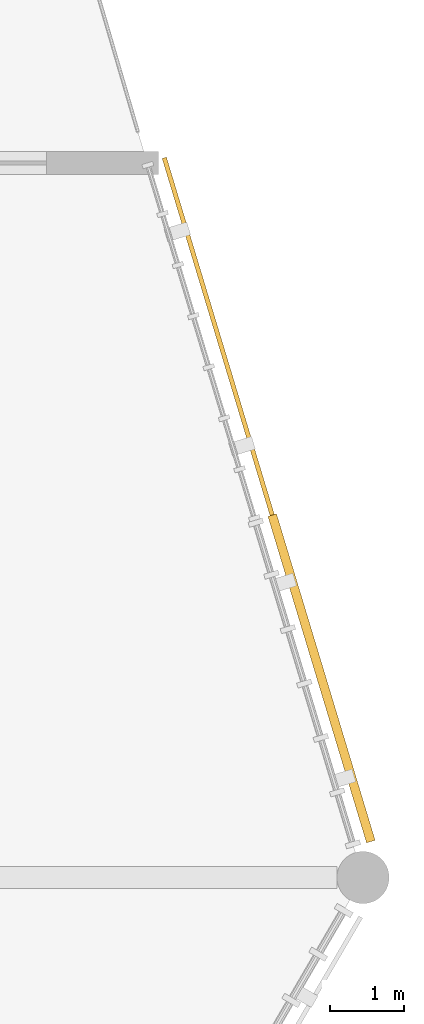
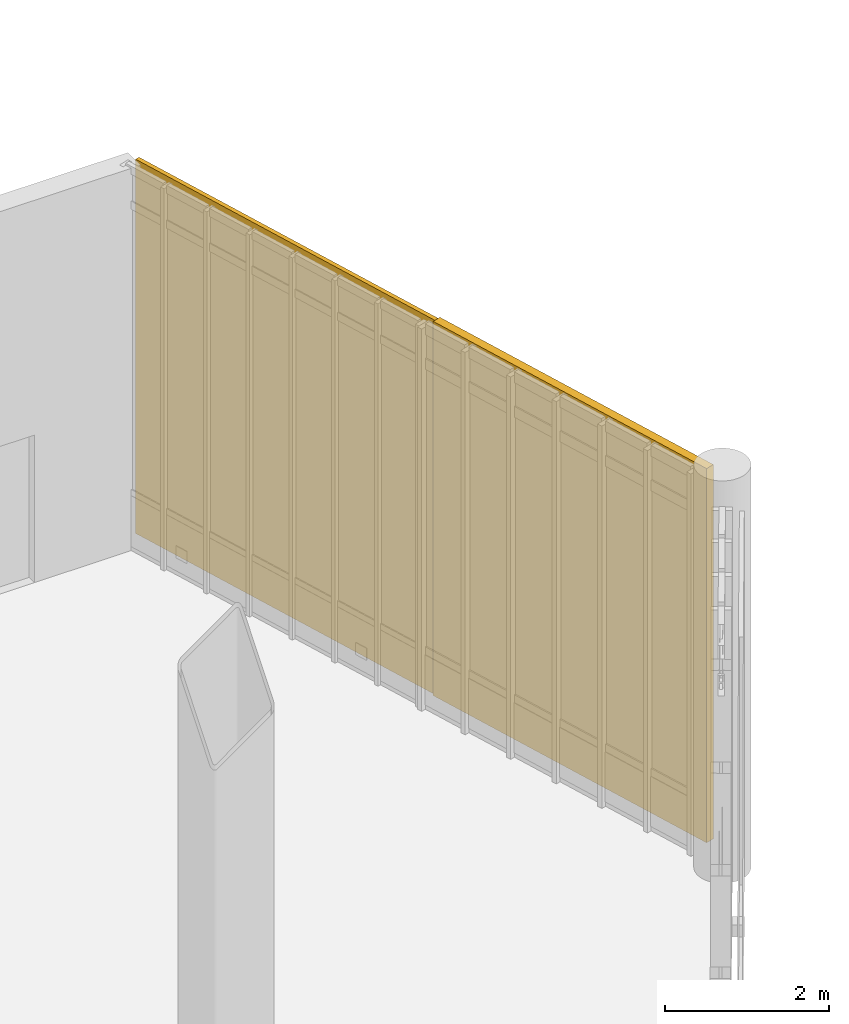
# One storey, part 135 of 135: 2 shading devices.
"""IFC4 building model written with IfcOpenShell, lengths in metres."""

from ifc_helpers import new_model, si_unit, direction, frame, origin, origin_2d, place, context, subcontext, project, spatial, rectangle, extrude, material, layer, layer_set, type_object, element, save


model = new_model("IFC4")

# Units and contexts
model_context = context("Model", 3, precision=1e-05, world=origin(), true_north=direction((0.0, 1.0)))
body_context = subcontext(model_context, "Body", "Model", "MODEL_VIEW")
ifc_project = project(units=[si_unit("LENGTHUNIT", "METRE"), si_unit("AREAUNIT", "SQUARE_METRE"), si_unit("VOLUMEUNIT", "CUBIC_METRE"), si_unit("PLANEANGLEUNIT", "RADIAN"), si_unit("MASSUNIT", "GRAM", prefix="KILO")], contexts=[model_context])

# Site, building, storey
site_placement = place(None, origin())
site = spatial("IfcSite", under=ifc_project, at=site_placement, CompositionType="ELEMENT")
building_placement = place(site_placement, origin())
building = spatial("IfcBuilding", under=site, at=building_placement, Name="Larkvane Passage Sports Hall", CompositionType="ELEMENT")
storey_placement = place(building_placement, frame((0.0, 0.0, 10.800048828125)))
storey = spatial("IfcBuildingStorey", under=building, at=storey_placement, Name="L02", CompositionType="ELEMENT", Elevation=10.800048828125)

# Shading devices
ifc_material_1 = material(Name="Extruded aluminium 6063-T6", Category="aluminium")
ifc_layer_1 = layer(ifc_material_1, 0.1201171875)
ifc_layer_set_1 = layer_set([ifc_layer_1], Name="Extruded aluminium 6063-T6")
shading_device_type_1 = type_object("IfcShadingDeviceType", Name="SHD-LOUVRE-STORM", PredefinedType="JALOUSIE", material=ifc_layer_set_1)
shading_device_1_placement = place(storey_placement, frame((152.042236328125, 78.2763671875, 0.059814453125), z_axis=(0.0, 0.0, 1.0), x_axis=(0.289177016584, -0.957275641119, 0.0)))
element("IfcShadingDevice", 1, at=shading_device_1_placement, inside=storey, type_object=shading_device_type_1, Name="Solar veil screen L02-048", PredefinedType="JALOUSIE", context=body_context, shape_type="SweptSolid", body=[
    extrude(rectangle(XDim=4.58203125, YDim=0.1201171875, at=origin_2d()), origin(), (0.0, 0.0, 1.0), 5.580078125),
])
ifc_material_2 = material(Name="Perforated anodised aluminium 5052-H32", Category="aluminium")
ifc_layer_2 = layer(ifc_material_2, 0.06005859375)
ifc_layer_set_2 = layer_set([ifc_layer_2], Name="Perforated anodised aluminium 5052-H32")
shading_device_type_2 = type_object("IfcShadingDeviceType", Name="SHD-VEIL-PERF", PredefinedType="SHUTTER", material=ifc_layer_set_2)
shading_device_2_placement = place(storey_placement, frame((150.65478515625, 82.869384765625, 0.059814453125), z_axis=(0.0, 0.0, 1.0), x_axis=(0.289177016584, -0.957275641119, 0.0)))
element("IfcShadingDevice", 2, at=shading_device_2_placement, inside=storey, type_object=shading_device_type_2, Name="Solar veil screen L02-047", PredefinedType="SHUTTER", context=body_context, shape_type="SweptSolid", body=[
    extrude(rectangle(XDim=5.01416015625, YDim=0.06005859375, at=origin_2d()), origin(), (0.0, 0.0, 1.0), 5.580078125),
])

save(model, "model.ifc")
